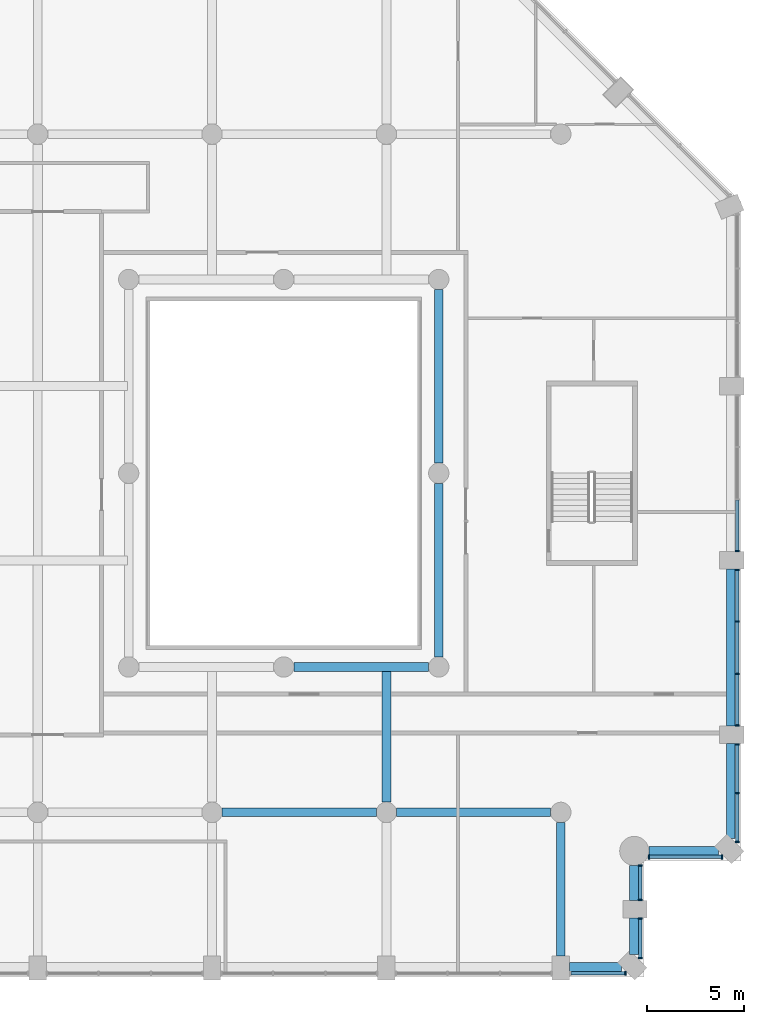
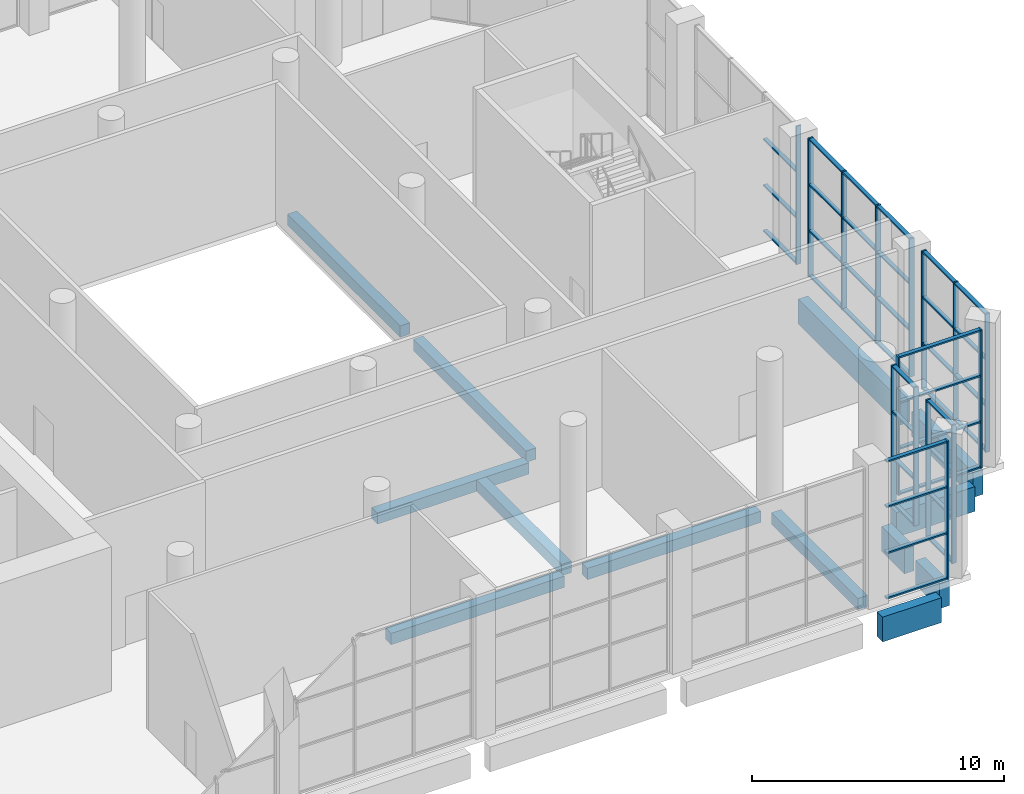
# One storey, part 4 of 22: 54 members, 13 beams, 7 elements without a shape of their own.
"""IFC4 building model written with IfcOpenShell, lengths in metres."""

from ifc_helpers import new_model, si_unit, direction, frame, origin, origin_2d, place, context, subcontext, project, spatial, rectangle, extrude, material, material_profile, profile_set, type_object, element, aggregate, save


model = new_model("IFC4")

# Units and contexts
model_context = context("Model", 3, precision=1e-05, world=origin(), true_north=direction((0.0, 1.0)))
body_context = subcontext(model_context, "Body", "Model", "MODEL_VIEW")
ifc_project = project(units=[si_unit("LENGTHUNIT", "METRE"), si_unit("AREAUNIT", "SQUARE_METRE"), si_unit("VOLUMEUNIT", "CUBIC_METRE"), si_unit("PLANEANGLEUNIT", "RADIAN"), si_unit("MASSUNIT", "GRAM", prefix="KILO")], contexts=[model_context])

# Site, building, storey
site_placement = place(None, origin())
site = spatial("IfcSite", under=ifc_project, at=site_placement, CompositionType="ELEMENT")
building_placement = place(site_placement, origin())
building = spatial("IfcBuilding", under=site, at=building_placement, Name="Cypress Arch Tower", CompositionType="ELEMENT")
storey_placement = place(building_placement, frame((0.0, 0.0, 145.5)))
storey = spatial("IfcBuildingStorey", under=building, at=storey_placement, Name="L32", CompositionType="ELEMENT", Elevation=145.5)

# Beams
ifc_material_1 = material(Name="Concrete C50/60", Category="concrete")
ifc_material_profile_1 = material_profile(ifc_material_1, rectangle(XDim=0.449951171875, YDim=0.550048828125, at=origin_2d()), Name="RC 450x550")
ifc_profile_set_1 = profile_set([ifc_material_profile_1], Name="Concrete C50/60")
beam_type_1 = type_object("IfcBeamType", Name="Floor beam RC 450x550 Concrete C50/60", PredefinedType="BEAM", material=ifc_profile_set_1)
for number, where, z_axis, x_axis, name in (
    (1, (9.0, -9.47509765625, -0.574951171875), (0.0, 1.0, 0.0), (-1.0, 0.0, 0.0), "Floor beam L32 RB003"),
    (2, (9.0, 0.52490234375, -0.574951171875), (0.0, 1.0, 0.0), (-1.0, 0.0, 0.0), "Floor beam L32 RB004"),
):
    element("IfcBeam", number, at=place(storey_placement, frame(where, z_axis=z_axis, x_axis=x_axis)), inside=storey, type_object=beam_type_1, Name=name, PredefinedType="BEAM", context=body_context, shape_type="SweptSolid", body=[
        extrude(rectangle(XDim=0.449951171875, YDim=0.550048828125, at=origin_2d()), origin(), (0.0, 0.0, 1.0), 8.9501953125),
    ])
beam_1_placement = place(storey_placement, frame((1.52490234375, -10.0, -0.574951171875), z_axis=(1.0, 0.0, 0.0), x_axis=(0.0, 1.0, 0.0)))
element("IfcBeam", 3, at=beam_1_placement, inside=storey, type_object=beam_type_1, Name="Floor beam L32 RB006", PredefinedType="BEAM", context=body_context, shape_type="SweptSolid", body=[
    extrude(rectangle(XDim=0.449951171875, YDim=0.550048828125, at=origin_2d()), origin(), (0.0, 0.0, 1.0), 6.9501953125),
])
for number, where, z_axis, x_axis, name in (
    (4, (-2.175048828125, -17.5, -0.574951171875), (1.0, 0.0, 0.0), (0.0, 1.0, 0.0), "Floor beam L32 FB011"),
    (5, (6.824951171875, -17.5, -0.574951171875), (1.0, 0.0, 0.0), (0.0, 1.0, 0.0), "Floor beam L32 FB012"),
):
    element("IfcBeam", number, at=place(storey_placement, frame(where, z_axis=z_axis, x_axis=x_axis)), inside=storey, type_object=beam_type_1, Name=name, PredefinedType="BEAM", context=body_context, shape_type="SweptSolid", body=[
        extrude(rectangle(XDim=0.449951171875, YDim=0.550048828125, at=origin_2d()), origin(), (0.0, 0.0, 1.0), 7.949951171875),
    ])
beam_2_placement = place(storey_placement, frame((6.300048828125, -16.97509765625, -0.574951171875), z_axis=(0.0, 1.0, 0.0), x_axis=(-1.0, 0.0, 0.0)))
element("IfcBeam", 6, at=beam_2_placement, inside=storey, type_object=beam_type_1, Name="Floor beam L32 FB031", PredefinedType="BEAM", context=body_context, shape_type="SweptSolid", body=[
    extrude(rectangle(XDim=0.449951171875, YDim=0.550048828125, at=origin_2d()), origin(), (0.0, 0.0, 1.0), 6.75),
])
beam_3_placement = place(storey_placement, frame((15.300048828125, -24.89990234375, -0.574951171875), z_axis=(0.0, 1.0, 0.0), x_axis=(-1.0, 0.0, 0.0)))
element("IfcBeam", 7, at=beam_3_placement, inside=storey, type_object=beam_type_1, Name="Floor beam L32 FB034", PredefinedType="BEAM", context=body_context, shape_type="SweptSolid", body=[
    extrude(rectangle(XDim=0.449951171875, YDim=0.550048828125, at=origin_2d()), origin(), (0.0, 0.0, 1.0), 6.875),
])

# Curtain wall, member
ifc_material_2 = material(Name="Anodised aluminium, bronze finish, solar control laminated double glazing", Category="aluminium")
curtain_wall_type = type_object("IfcCurtainWallType", Name="Curtain wall CW3 sky lobby glazing", PredefinedType="NOTDEFINED", material=ifc_material_2)
curtain_wall_1_placement = place(storey_placement, origin())
curtain_wall_1 = element("IfcCurtainWall", 8, at=curtain_wall_1_placement, inside=storey, type_object=curtain_wall_type, Name="Curtain wall L32 A03.5.1", PredefinedType="NOTDEFINED")
ifc_material_3 = material(Name="Anodised aluminium, bronze finish", Category="aluminium")
ifc_material_profile_2 = material_profile(ifc_material_3, rectangle(XDim=0.219970703125, YDim=0.074951171875, at=origin_2d()), Name="Mullion 75x220")
ifc_profile_set_2 = profile_set([ifc_material_profile_2], Name="Anodised aluminium, bronze finish")
member_type_1 = type_object("IfcMemberType", Name="Mullion CW3 75x220", PredefinedType="MULLION", material=ifc_profile_set_2)
member_1_placement = place(storey_placement, frame((18.626220703125, -25.800048828125, 0.0), z_axis=(0.0, 0.0, 1.0), x_axis=(0.0, 1.0, 0.0)))
member_1 = element("IfcMember", 9, at=member_1_placement, type_object=member_type_1, Name="CW3 mullion 2", PredefinedType="MULLION", context=body_context, shape_type="SweptSolid", body=[
    extrude(rectangle(XDim=0.219970703125, YDim=0.074951171875, at=origin_2d()), origin(), (0.0, 0.0, 1.0), 6.699951171875),
])

# Curtain wall, members
curtain_wall_2_placement = place(storey_placement, origin())
curtain_wall_2 = element("IfcCurtainWall", 10, at=curtain_wall_2_placement, inside=storey, type_object=curtain_wall_type, Name="Curtain wall L32 A04.0.1", PredefinedType="NOTDEFINED")
member_2_placement = place(storey_placement, frame((19.39990234375, -25.026123046875, 0.0), z_axis=(0.0, 0.0, 1.0), x_axis=(-1.0, 0.0, 0.0)))
member_2 = element("IfcMember", 11, at=member_2_placement, type_object=member_type_1, Name="CW3 mullion 1", PredefinedType="MULLION", context=body_context, shape_type="SweptSolid", body=[
    extrude(rectangle(XDim=0.219970703125, YDim=0.074951171875, at=origin_2d()), origin(), (0.0, 0.0, 1.0), 6.699951171875),
])
member_3_placement = place(storey_placement, frame((19.39990234375, -22.987548828125, 0.0), z_axis=(0.0, 0.0, 1.0), x_axis=(-1.0, 0.0, 0.0)))
member_3 = element("IfcMember", 12, at=member_3_placement, type_object=member_type_1, Name="CW3 mullion 2", PredefinedType="MULLION", context=body_context, shape_type="SweptSolid", body=[
    extrude(rectangle(XDim=0.219970703125, YDim=0.074951171875, at=origin_2d()), origin(), (0.0, 0.0, 1.0), 6.699951171875),
])

curtain_wall_3_placement = place(storey_placement, origin())
curtain_wall_3 = element("IfcCurtainWall", 13, at=curtain_wall_3_placement, inside=storey, type_object=curtain_wall_type, Name="Curtain wall L32 A04.1.1", PredefinedType="NOTDEFINED")
member_4_placement = place(storey_placement, frame((19.39990234375, -22.012451171875, 0.0), z_axis=(0.0, 0.0, 1.0), x_axis=(-1.0, 0.0, 0.0)))
member_4 = element("IfcMember", 14, at=member_4_placement, type_object=member_type_1, Name="CW3 mullion 1", PredefinedType="MULLION", context=body_context, shape_type="SweptSolid", body=[
    extrude(rectangle(XDim=0.219970703125, YDim=0.074951171875, at=origin_2d()), origin(), (0.0, 0.0, 1.0), 6.699951171875),
])
member_5_placement = place(storey_placement, frame((19.39990234375, -20.244384765625, 0.0), z_axis=(0.0, 0.0, 1.0), x_axis=(-1.0, 0.0, 0.0)))
member_5 = element("IfcMember", 15, at=member_5_placement, type_object=member_type_1, Name="CW3 mullion 2", PredefinedType="MULLION", context=body_context, shape_type="SweptSolid", body=[
    extrude(rectangle(XDim=0.219970703125, YDim=0.074951171875, at=origin_2d()), origin(), (0.0, 0.0, 1.0), 6.699951171875),
])

curtain_wall_4_placement = place(storey_placement, origin())
curtain_wall_4 = element("IfcCurtainWall", 16, at=curtain_wall_4_placement, inside=storey, type_object=curtain_wall_type, Name="Curtain wall L32 A05.0.1", PredefinedType="NOTDEFINED")
member_6_placement = place(storey_placement, frame((19.844482421875, -19.800048828125, 0.0), z_axis=(0.0, 0.0, 1.0), x_axis=(0.0, 1.0, 0.0)))
member_6 = element("IfcMember", 17, at=member_6_placement, type_object=member_type_1, Name="CW3 mullion 1", PredefinedType="MULLION", context=body_context, shape_type="SweptSolid", body=[
    extrude(rectangle(XDim=0.219970703125, YDim=0.074951171875, at=origin_2d()), origin(), (0.0, 0.0, 1.0), 6.699951171875),
])
member_7_placement = place(storey_placement, frame((23.626220703125, -19.800048828125, 0.0), z_axis=(0.0, 0.0, 1.0), x_axis=(0.0, 1.0, 0.0)))
member_7 = element("IfcMember", 18, at=member_7_placement, type_object=member_type_1, Name="CW3 mullion 2", PredefinedType="MULLION", context=body_context, shape_type="SweptSolid", body=[
    extrude(rectangle(XDim=0.219970703125, YDim=0.074951171875, at=origin_2d()), origin(), (0.0, 0.0, 1.0), 6.699951171875),
])

curtain_wall_5_placement = place(storey_placement, origin())
curtain_wall_5 = element("IfcCurtainWall", 19, at=curtain_wall_5_placement, inside=storey, type_object=curtain_wall_type, Name="Curtain wall L32 A06.0.1", PredefinedType="NOTDEFINED")
member_8_placement = place(storey_placement, frame((24.39990234375, -19.026123046875, 0.0), z_axis=(0.0, 0.0, 1.0), x_axis=(-1.0, 0.0, 0.0)))
member_8 = element("IfcMember", 20, at=member_8_placement, type_object=member_type_1, Name="CW3 mullion 1", PredefinedType="MULLION", context=body_context, shape_type="SweptSolid", body=[
    extrude(rectangle(XDim=0.219970703125, YDim=0.074951171875, at=origin_2d()), origin(), (0.0, 0.0, 1.0), 6.699951171875),
])
member_9_placement = place(storey_placement, frame((24.39990234375, -16.5068359375, 0.0), z_axis=(0.0, 0.0, 1.0), x_axis=(-1.0, 0.0, 0.0)))
member_9 = element("IfcMember", 21, at=member_9_placement, type_object=member_type_1, Name="CW3 mullion 2", PredefinedType="MULLION", context=body_context, shape_type="SweptSolid", body=[
    extrude(rectangle(XDim=0.219970703125, YDim=0.074951171875, at=origin_2d()), origin(), (0.0, 0.0, 1.0), 6.699951171875),
])
member_10_placement = place(storey_placement, frame((24.39990234375, -13.987548828125, 0.0), z_axis=(0.0, 0.0, 1.0), x_axis=(-1.0, 0.0, 0.0)))
member_10 = element("IfcMember", 22, at=member_10_placement, type_object=member_type_1, Name="CW3 mullion 3", PredefinedType="MULLION", context=body_context, shape_type="SweptSolid", body=[
    extrude(rectangle(XDim=0.219970703125, YDim=0.074951171875, at=origin_2d()), origin(), (0.0, 0.0, 1.0), 6.699951171875),
])

curtain_wall_6_placement = place(storey_placement, origin())
curtain_wall_6 = element("IfcCurtainWall", 23, at=curtain_wall_6_placement, inside=storey, type_object=curtain_wall_type, Name="Curtain wall L32 A06.1.1", PredefinedType="NOTDEFINED")
member_11_placement = place(storey_placement, frame((24.39990234375, -13.012451171875, 0.0), z_axis=(0.0, 0.0, 1.0), x_axis=(-1.0, 0.0, 0.0)))
member_11 = element("IfcMember", 24, at=member_11_placement, type_object=member_type_1, Name="CW3 mullion 1", PredefinedType="MULLION", context=body_context, shape_type="SweptSolid", body=[
    extrude(rectangle(XDim=0.219970703125, YDim=0.074951171875, at=origin_2d()), origin(), (0.0, 0.0, 1.0), 6.699951171875),
])
member_12_placement = place(storey_placement, frame((24.39990234375, -10.35009765625, 0.0), z_axis=(0.0, 0.0, 1.0), x_axis=(-1.0, 0.0, 0.0)))
member_12 = element("IfcMember", 25, at=member_12_placement, type_object=member_type_1, Name="CW3 mullion 2", PredefinedType="MULLION", context=body_context, shape_type="SweptSolid", body=[
    extrude(rectangle(XDim=0.219970703125, YDim=0.074951171875, at=origin_2d()), origin(), (0.0, 0.0, 1.0), 6.699951171875),
])
member_13_placement = place(storey_placement, frame((24.39990234375, -7.64990234375, 0.0), z_axis=(0.0, 0.0, 1.0), x_axis=(-1.0, 0.0, 0.0)))
member_13 = element("IfcMember", 26, at=member_13_placement, type_object=member_type_1, Name="CW3 mullion 3", PredefinedType="MULLION", context=body_context, shape_type="SweptSolid", body=[
    extrude(rectangle(XDim=0.219970703125, YDim=0.074951171875, at=origin_2d()), origin(), (0.0, 0.0, 1.0), 6.699951171875),
])
member_14_placement = place(storey_placement, frame((24.39990234375, -4.987548828125, 0.0), z_axis=(0.0, 0.0, 1.0), x_axis=(-1.0, 0.0, 0.0)))
member_14 = element("IfcMember", 27, at=member_14_placement, type_object=member_type_1, Name="CW3 mullion 4", PredefinedType="MULLION", context=body_context, shape_type="SweptSolid", body=[
    extrude(rectangle(XDim=0.219970703125, YDim=0.074951171875, at=origin_2d()), origin(), (0.0, 0.0, 1.0), 6.699951171875),
])

# Curtain wall, member
curtain_wall_7_placement = place(storey_placement, origin())
curtain_wall_7 = element("IfcCurtainWall", 28, at=curtain_wall_7_placement, inside=storey, type_object=curtain_wall_type, Name="Curtain wall L32 A06.2.1", PredefinedType="NOTDEFINED")
member_15_placement = place(storey_placement, frame((24.39990234375, -4.012451171875, 0.0), z_axis=(0.0, 0.0, 1.0), x_axis=(-1.0, 0.0, 0.0)))
member_15 = element("IfcMember", 29, at=member_15_placement, type_object=member_type_1, Name="CW3 mullion 1", PredefinedType="MULLION", context=body_context, shape_type="SweptSolid", body=[
    extrude(rectangle(XDim=0.219970703125, YDim=0.074951171875, at=origin_2d()), origin(), (0.0, 0.0, 1.0), 6.699951171875),
])

# Beams
ifc_material_4 = material(Name="Concrete C50/60", Category="concrete")
ifc_material_profile_3 = material_profile(ifc_material_4, rectangle(XDim=0.449951171875, YDim=1.199951171875, at=origin_2d()), Name="RC 450x1200")
ifc_profile_set_3 = profile_set([ifc_material_profile_3], Name="Concrete C50/60")
beam_type_2 = type_object("IfcBeamType", Name="Spandrel beam RC 450x1200 Concrete C50/60", PredefinedType="SPANDREL", material=ifc_profile_set_3)
beam_4_placement = place(storey_placement, frame((15.75, -25.47509765625, -1.550048828125), z_axis=(1.0, 0.0, 0.0), x_axis=(0.0, 1.0, 0.0)))
element("IfcBeam", 30, at=beam_4_placement, inside=storey, type_object=beam_type_2, Name="Spandrel beam L32 BA03-5", PredefinedType="SPANDREL", context=body_context, shape_type="SweptSolid", body=[
    extrude(rectangle(XDim=0.449951171875, YDim=1.199951171875, at=origin_2d()), origin(), (0.0, 0.0, 1.0), 2.688720703125),
])
beam_5_placement = place(storey_placement, frame((19.074951171875, -24.838623046875, -1.550048828125), z_axis=(0.0, 1.0, 0.0), x_axis=(-1.0, 0.0, 0.0)))
element("IfcBeam", 31, at=beam_5_placement, inside=storey, type_object=beam_type_2, Name="Spandrel beam L32 BA04-0", PredefinedType="SPANDREL", context=body_context, shape_type="SweptSolid", body=[
    extrude(rectangle(XDim=0.449951171875, YDim=1.199951171875, at=origin_2d()), origin(), (0.0, 0.0, 1.0), 1.888671875),
])
beam_6_placement = place(storey_placement, frame((19.074951171875, -22.050048828125, -1.550048828125), z_axis=(0.0, 1.0, 0.0), x_axis=(-1.0, 0.0, 0.0)))
element("IfcBeam", 32, at=beam_6_placement, inside=storey, type_object=beam_type_2, Name="Spandrel beam L32 BA04-1", PredefinedType="SPANDREL", context=body_context, shape_type="SweptSolid", body=[
    extrude(rectangle(XDim=0.449951171875, YDim=1.199951171875, at=origin_2d()), origin(), (0.0, 0.0, 1.0), 1.8125),
])
beam_7_placement = place(storey_placement, frame((19.837646484375, -19.47509765625, -1.550048828125), z_axis=(1.0, 0.0, 0.0), x_axis=(0.0, 1.0, 0.0)))
element("IfcBeam", 33, at=beam_7_placement, inside=storey, type_object=beam_type_2, Name="Spandrel beam L32 BA05-0", PredefinedType="SPANDREL", context=body_context, shape_type="SweptSolid", body=[
    extrude(rectangle(XDim=0.449951171875, YDim=1.199951171875, at=origin_2d()), origin(), (0.0, 0.0, 1.0), 3.60107421875),
])
beam_8_placement = place(storey_placement, frame((24.074951171875, -18.838623046875, -1.550048828125), z_axis=(0.0, 1.0, 0.0), x_axis=(-1.0, 0.0, 0.0)))
element("IfcBeam", 34, at=beam_8_placement, inside=storey, type_object=beam_type_2, Name="Spandrel beam L32 BA06-0", PredefinedType="SPANDREL", context=body_context, shape_type="SweptSolid", body=[
    extrude(rectangle(XDim=0.449951171875, YDim=1.199951171875, at=origin_2d()), origin(), (0.0, 0.0, 1.0), 4.888671875),
])
beam_9_placement = place(storey_placement, frame((24.074951171875, -13.050048828125, -1.550048828125), z_axis=(0.0, 1.0, 0.0), x_axis=(-1.0, 0.0, 0.0)))
element("IfcBeam", 35, at=beam_9_placement, inside=storey, type_object=beam_type_2, Name="Spandrel beam L32 BA06-1", PredefinedType="SPANDREL", context=body_context, shape_type="SweptSolid", body=[
    extrude(rectangle(XDim=0.449951171875, YDim=1.199951171875, at=origin_2d()), origin(), (0.0, 0.0, 1.0), 8.10009765625),
])

# Member
ifc_material_5 = material(Name="Anodised aluminium, bronze finish", Category="aluminium")
ifc_material_profile_4 = material_profile(ifc_material_5, rectangle(XDim=0.179931640625, YDim=0.074951171875, at=origin_2d()), Name="Transom 75x180")
ifc_profile_set_4 = profile_set([ifc_material_profile_4], Name="Anodised aluminium, bronze finish")
member_type_2 = type_object("IfcMemberType", Name="Transom CW3 75x180", PredefinedType="USERDEFINED", material=ifc_profile_set_4)
member_16_placement = place(storey_placement, frame((15.824951171875, -25.800048828125, 0.03759765625), z_axis=(1.0, 0.0, 0.0), x_axis=(0.0, 1.0, 0.0)))
member_16 = element("IfcMember", 36, at=member_16_placement, type_object=member_type_2, Name="CW3 transom 1.1", ObjectType="TRANSOM", PredefinedType="USERDEFINED", context=body_context, shape_type="SweptSolid", body=[
    extrude(rectangle(XDim=0.179931640625, YDim=0.074951171875, at=origin_2d()), origin(), (0.0, 0.0, 1.0), 2.763671875),
])

member_17_placement = place(storey_placement, frame((15.824951171875, -25.800048828125, 2.2333984375), z_axis=(1.0, 0.0, 0.0), x_axis=(0.0, 1.0, 0.0)))
member_17 = element("IfcMember", 37, at=member_17_placement, type_object=member_type_2, Name="CW3 transom 1.2", ObjectType="TRANSOM", PredefinedType="USERDEFINED", context=body_context, shape_type="SweptSolid", body=[
    extrude(rectangle(XDim=0.179931640625, YDim=0.074951171875, at=origin_2d()), origin(), (0.0, 0.0, 1.0), 2.763671875),
])

member_18_placement = place(storey_placement, frame((15.824951171875, -25.800048828125, 4.466552734375), z_axis=(1.0, 0.0, 0.0), x_axis=(0.0, 1.0, 0.0)))
member_18 = element("IfcMember", 38, at=member_18_placement, type_object=member_type_2, Name="CW3 transom 1.3", ObjectType="TRANSOM", PredefinedType="USERDEFINED", context=body_context, shape_type="SweptSolid", body=[
    extrude(rectangle(XDim=0.179931640625, YDim=0.074951171875, at=origin_2d()), origin(), (0.0, 0.0, 1.0), 2.763671875),
])

member_19_placement = place(storey_placement, frame((15.824951171875, -25.800048828125, 6.66259765625), z_axis=(1.0, 0.0, 0.0), x_axis=(0.0, 1.0, 0.0)))
member_19 = element("IfcMember", 39, at=member_19_placement, type_object=member_type_2, Name="CW3 transom 1.4", ObjectType="TRANSOM", PredefinedType="USERDEFINED", context=body_context, shape_type="SweptSolid", body=[
    extrude(rectangle(XDim=0.179931640625, YDim=0.074951171875, at=origin_2d()), origin(), (0.0, 0.0, 1.0), 2.763671875),
])

aggregate(curtain_wall_1, [member_1, member_16, member_17, member_18, member_19])

member_20_placement = place(storey_placement, frame((19.39990234375, -24.988525390625, 0.03759765625), z_axis=(0.0, 1.0, 0.0), x_axis=(-1.0, 0.0, 0.0)))
member_20 = element("IfcMember", 40, at=member_20_placement, type_object=member_type_2, Name="CW3 transom 1.1", ObjectType="TRANSOM", PredefinedType="USERDEFINED", context=body_context, shape_type="SweptSolid", body=[
    extrude(rectangle(XDim=0.179931640625, YDim=0.074951171875, at=origin_2d()), origin(), (0.0, 0.0, 1.0), 1.963623046875),
])

member_21_placement = place(storey_placement, frame((19.39990234375, -24.988525390625, 2.2333984375), z_axis=(0.0, 1.0, 0.0), x_axis=(-1.0, 0.0, 0.0)))
member_21 = element("IfcMember", 41, at=member_21_placement, type_object=member_type_2, Name="CW3 transom 1.2", ObjectType="TRANSOM", PredefinedType="USERDEFINED", context=body_context, shape_type="SweptSolid", body=[
    extrude(rectangle(XDim=0.179931640625, YDim=0.074951171875, at=origin_2d()), origin(), (0.0, 0.0, 1.0), 1.963623046875),
])

member_22_placement = place(storey_placement, frame((19.39990234375, -24.988525390625, 4.466552734375), z_axis=(0.0, 1.0, 0.0), x_axis=(-1.0, 0.0, 0.0)))
member_22 = element("IfcMember", 42, at=member_22_placement, type_object=member_type_2, Name="CW3 transom 1.3", ObjectType="TRANSOM", PredefinedType="USERDEFINED", context=body_context, shape_type="SweptSolid", body=[
    extrude(rectangle(XDim=0.179931640625, YDim=0.074951171875, at=origin_2d()), origin(), (0.0, 0.0, 1.0), 1.963623046875),
])

member_23_placement = place(storey_placement, frame((19.39990234375, -24.988525390625, 6.66259765625), z_axis=(0.0, 1.0, 0.0), x_axis=(-1.0, 0.0, 0.0)))
member_23 = element("IfcMember", 43, at=member_23_placement, type_object=member_type_2, Name="CW3 transom 1.4", ObjectType="TRANSOM", PredefinedType="USERDEFINED", context=body_context, shape_type="SweptSolid", body=[
    extrude(rectangle(XDim=0.179931640625, YDim=0.074951171875, at=origin_2d()), origin(), (0.0, 0.0, 1.0), 1.963623046875),
])

aggregate(curtain_wall_2, [member_2, member_3, member_20, member_21, member_22, member_23])

member_24_placement = place(storey_placement, frame((19.39990234375, -21.97509765625, 0.03759765625), z_axis=(0.0, 1.0, 0.0), x_axis=(-1.0, 0.0, 0.0)))
member_24 = element("IfcMember", 44, at=member_24_placement, type_object=member_type_2, Name="CW3 transom 1.1", ObjectType="TRANSOM", PredefinedType="USERDEFINED", context=body_context, shape_type="SweptSolid", body=[
    extrude(rectangle(XDim=0.179931640625, YDim=0.074951171875, at=origin_2d()), origin(), (0.0, 0.0, 1.0), 1.693115234375),
])

member_25_placement = place(storey_placement, frame((19.39990234375, -21.97509765625, 2.2333984375), z_axis=(0.0, 1.0, 0.0), x_axis=(-1.0, 0.0, 0.0)))
member_25 = element("IfcMember", 45, at=member_25_placement, type_object=member_type_2, Name="CW3 transom 1.2", ObjectType="TRANSOM", PredefinedType="USERDEFINED", context=body_context, shape_type="SweptSolid", body=[
    extrude(rectangle(XDim=0.179931640625, YDim=0.074951171875, at=origin_2d()), origin(), (0.0, 0.0, 1.0), 1.693115234375),
])

member_26_placement = place(storey_placement, frame((19.39990234375, -21.97509765625, 4.466552734375), z_axis=(0.0, 1.0, 0.0), x_axis=(-1.0, 0.0, 0.0)))
member_26 = element("IfcMember", 46, at=member_26_placement, type_object=member_type_2, Name="CW3 transom 1.3", ObjectType="TRANSOM", PredefinedType="USERDEFINED", context=body_context, shape_type="SweptSolid", body=[
    extrude(rectangle(XDim=0.179931640625, YDim=0.074951171875, at=origin_2d()), origin(), (0.0, 0.0, 1.0), 1.693115234375),
])

member_27_placement = place(storey_placement, frame((19.39990234375, -21.97509765625, 6.66259765625), z_axis=(0.0, 1.0, 0.0), x_axis=(-1.0, 0.0, 0.0)))
member_27 = element("IfcMember", 47, at=member_27_placement, type_object=member_type_2, Name="CW3 transom 1.4", ObjectType="TRANSOM", PredefinedType="USERDEFINED", context=body_context, shape_type="SweptSolid", body=[
    extrude(rectangle(XDim=0.179931640625, YDim=0.074951171875, at=origin_2d()), origin(), (0.0, 0.0, 1.0), 1.693115234375),
])

aggregate(curtain_wall_3, [member_4, member_5, member_24, member_25, member_26, member_27])

member_28_placement = place(storey_placement, frame((19.882080078125, -19.800048828125, 0.03759765625), z_axis=(1.0, 0.0, 0.0), x_axis=(0.0, 1.0, 0.0)))
member_28 = element("IfcMember", 48, at=member_28_placement, type_object=member_type_2, Name="CW3 transom 1.1", ObjectType="TRANSOM", PredefinedType="USERDEFINED", context=body_context, shape_type="SweptSolid", body=[
    extrude(rectangle(XDim=0.179931640625, YDim=0.074951171875, at=origin_2d()), origin(), (0.0, 0.0, 1.0), 3.70654296875),
])

member_29_placement = place(storey_placement, frame((19.882080078125, -19.800048828125, 2.2333984375), z_axis=(1.0, 0.0, 0.0), x_axis=(0.0, 1.0, 0.0)))
member_29 = element("IfcMember", 49, at=member_29_placement, type_object=member_type_2, Name="CW3 transom 1.2", ObjectType="TRANSOM", PredefinedType="USERDEFINED", context=body_context, shape_type="SweptSolid", body=[
    extrude(rectangle(XDim=0.179931640625, YDim=0.074951171875, at=origin_2d()), origin(), (0.0, 0.0, 1.0), 3.70654296875),
])

member_30_placement = place(storey_placement, frame((19.882080078125, -19.800048828125, 4.466552734375), z_axis=(1.0, 0.0, 0.0), x_axis=(0.0, 1.0, 0.0)))
member_30 = element("IfcMember", 50, at=member_30_placement, type_object=member_type_2, Name="CW3 transom 1.3", ObjectType="TRANSOM", PredefinedType="USERDEFINED", context=body_context, shape_type="SweptSolid", body=[
    extrude(rectangle(XDim=0.179931640625, YDim=0.074951171875, at=origin_2d()), origin(), (0.0, 0.0, 1.0), 3.70654296875),
])

member_31_placement = place(storey_placement, frame((19.882080078125, -19.800048828125, 6.66259765625), z_axis=(1.0, 0.0, 0.0), x_axis=(0.0, 1.0, 0.0)))
member_31 = element("IfcMember", 51, at=member_31_placement, type_object=member_type_2, Name="CW3 transom 1.4", ObjectType="TRANSOM", PredefinedType="USERDEFINED", context=body_context, shape_type="SweptSolid", body=[
    extrude(rectangle(XDim=0.179931640625, YDim=0.074951171875, at=origin_2d()), origin(), (0.0, 0.0, 1.0), 3.70654296875),
])

aggregate(curtain_wall_4, [member_6, member_7, member_28, member_29, member_30, member_31])

member_32_placement = place(storey_placement, frame((24.39990234375, -18.988525390625, 0.03759765625), z_axis=(0.0, 1.0, 0.0), x_axis=(-1.0, 0.0, 0.0)))
member_32 = element("IfcMember", 52, at=member_32_placement, type_object=member_type_2, Name="CW3 transom 1.1", ObjectType="TRANSOM", PredefinedType="USERDEFINED", context=body_context, shape_type="SweptSolid", body=[
    extrude(rectangle(XDim=0.179931640625, YDim=0.074951171875, at=origin_2d()), origin(), (0.0, 0.0, 1.0), 2.4443359375),
])

member_33_placement = place(storey_placement, frame((24.39990234375, -18.988525390625, 2.2333984375), z_axis=(0.0, 1.0, 0.0), x_axis=(-1.0, 0.0, 0.0)))
member_33 = element("IfcMember", 53, at=member_33_placement, type_object=member_type_2, Name="CW3 transom 1.2", ObjectType="TRANSOM", PredefinedType="USERDEFINED", context=body_context, shape_type="SweptSolid", body=[
    extrude(rectangle(XDim=0.179931640625, YDim=0.074951171875, at=origin_2d()), origin(), (0.0, 0.0, 1.0), 2.4443359375),
])

member_34_placement = place(storey_placement, frame((24.39990234375, -18.988525390625, 4.466552734375), z_axis=(0.0, 1.0, 0.0), x_axis=(-1.0, 0.0, 0.0)))
member_34 = element("IfcMember", 54, at=member_34_placement, type_object=member_type_2, Name="CW3 transom 1.3", ObjectType="TRANSOM", PredefinedType="USERDEFINED", context=body_context, shape_type="SweptSolid", body=[
    extrude(rectangle(XDim=0.179931640625, YDim=0.074951171875, at=origin_2d()), origin(), (0.0, 0.0, 1.0), 2.4443359375),
])

member_35_placement = place(storey_placement, frame((24.39990234375, -18.988525390625, 6.66259765625), z_axis=(0.0, 1.0, 0.0), x_axis=(-1.0, 0.0, 0.0)))
member_35 = element("IfcMember", 55, at=member_35_placement, type_object=member_type_2, Name="CW3 transom 1.4", ObjectType="TRANSOM", PredefinedType="USERDEFINED", context=body_context, shape_type="SweptSolid", body=[
    extrude(rectangle(XDim=0.179931640625, YDim=0.074951171875, at=origin_2d()), origin(), (0.0, 0.0, 1.0), 2.4443359375),
])

member_36_placement = place(storey_placement, frame((24.39990234375, -16.46923828125, 0.03759765625), z_axis=(0.0, 1.0, 0.0), x_axis=(-1.0, 0.0, 0.0)))
member_36 = element("IfcMember", 56, at=member_36_placement, type_object=member_type_2, Name="CW3 transom 2.1", ObjectType="TRANSOM", PredefinedType="USERDEFINED", context=body_context, shape_type="SweptSolid", body=[
    extrude(rectangle(XDim=0.179931640625, YDim=0.074951171875, at=origin_2d()), origin(), (0.0, 0.0, 1.0), 2.4443359375),
])

member_37_placement = place(storey_placement, frame((24.39990234375, -16.46923828125, 2.2333984375), z_axis=(0.0, 1.0, 0.0), x_axis=(-1.0, 0.0, 0.0)))
member_37 = element("IfcMember", 57, at=member_37_placement, type_object=member_type_2, Name="CW3 transom 2.2", ObjectType="TRANSOM", PredefinedType="USERDEFINED", context=body_context, shape_type="SweptSolid", body=[
    extrude(rectangle(XDim=0.179931640625, YDim=0.074951171875, at=origin_2d()), origin(), (0.0, 0.0, 1.0), 2.4443359375),
])

member_38_placement = place(storey_placement, frame((24.39990234375, -16.46923828125, 4.466552734375), z_axis=(0.0, 1.0, 0.0), x_axis=(-1.0, 0.0, 0.0)))
member_38 = element("IfcMember", 58, at=member_38_placement, type_object=member_type_2, Name="CW3 transom 2.3", ObjectType="TRANSOM", PredefinedType="USERDEFINED", context=body_context, shape_type="SweptSolid", body=[
    extrude(rectangle(XDim=0.179931640625, YDim=0.074951171875, at=origin_2d()), origin(), (0.0, 0.0, 1.0), 2.4443359375),
])

member_39_placement = place(storey_placement, frame((24.39990234375, -16.46923828125, 6.66259765625), z_axis=(0.0, 1.0, 0.0), x_axis=(-1.0, 0.0, 0.0)))
member_39 = element("IfcMember", 59, at=member_39_placement, type_object=member_type_2, Name="CW3 transom 2.4", ObjectType="TRANSOM", PredefinedType="USERDEFINED", context=body_context, shape_type="SweptSolid", body=[
    extrude(rectangle(XDim=0.179931640625, YDim=0.074951171875, at=origin_2d()), origin(), (0.0, 0.0, 1.0), 2.4443359375),
])

aggregate(curtain_wall_5, [member_8, member_9, member_10, member_32, member_33, member_34, member_35, member_36, member_37, member_38, member_39])

member_40_placement = place(storey_placement, frame((24.39990234375, -12.97509765625, 0.03759765625), z_axis=(0.0, 1.0, 0.0), x_axis=(-1.0, 0.0, 0.0)))
member_40 = element("IfcMember", 60, at=member_40_placement, type_object=member_type_2, Name="CW3 transom 1.1", ObjectType="TRANSOM", PredefinedType="USERDEFINED", context=body_context, shape_type="SweptSolid", body=[
    extrude(rectangle(XDim=0.179931640625, YDim=0.074951171875, at=origin_2d()), origin(), (0.0, 0.0, 1.0), 2.587646484375),
])

member_41_placement = place(storey_placement, frame((24.39990234375, -12.97509765625, 2.2333984375), z_axis=(0.0, 1.0, 0.0), x_axis=(-1.0, 0.0, 0.0)))
member_41 = element("IfcMember", 61, at=member_41_placement, type_object=member_type_2, Name="CW3 transom 1.2", ObjectType="TRANSOM", PredefinedType="USERDEFINED", context=body_context, shape_type="SweptSolid", body=[
    extrude(rectangle(XDim=0.179931640625, YDim=0.074951171875, at=origin_2d()), origin(), (0.0, 0.0, 1.0), 2.587646484375),
])

member_42_placement = place(storey_placement, frame((24.39990234375, -12.97509765625, 4.466552734375), z_axis=(0.0, 1.0, 0.0), x_axis=(-1.0, 0.0, 0.0)))
member_42 = element("IfcMember", 62, at=member_42_placement, type_object=member_type_2, Name="CW3 transom 1.3", ObjectType="TRANSOM", PredefinedType="USERDEFINED", context=body_context, shape_type="SweptSolid", body=[
    extrude(rectangle(XDim=0.179931640625, YDim=0.074951171875, at=origin_2d()), origin(), (0.0, 0.0, 1.0), 2.587646484375),
])

member_43_placement = place(storey_placement, frame((24.39990234375, -12.97509765625, 6.66259765625), z_axis=(0.0, 1.0, 0.0), x_axis=(-1.0, 0.0, 0.0)))
member_43 = element("IfcMember", 63, at=member_43_placement, type_object=member_type_2, Name="CW3 transom 1.4", ObjectType="TRANSOM", PredefinedType="USERDEFINED", context=body_context, shape_type="SweptSolid", body=[
    extrude(rectangle(XDim=0.179931640625, YDim=0.074951171875, at=origin_2d()), origin(), (0.0, 0.0, 1.0), 2.587646484375),
])

member_44_placement = place(storey_placement, frame((24.39990234375, -10.3125, 0.03759765625), z_axis=(0.0, 1.0, 0.0), x_axis=(-1.0, 0.0, 0.0)))
member_44 = element("IfcMember", 64, at=member_44_placement, type_object=member_type_2, Name="CW3 transom 2.1", ObjectType="TRANSOM", PredefinedType="USERDEFINED", context=body_context, shape_type="SweptSolid", body=[
    extrude(rectangle(XDim=0.179931640625, YDim=0.074951171875, at=origin_2d()), origin(), (0.0, 0.0, 1.0), 2.625),
])

member_45_placement = place(storey_placement, frame((24.39990234375, -10.3125, 2.2333984375), z_axis=(0.0, 1.0, 0.0), x_axis=(-1.0, 0.0, 0.0)))
member_45 = element("IfcMember", 65, at=member_45_placement, type_object=member_type_2, Name="CW3 transom 2.2", ObjectType="TRANSOM", PredefinedType="USERDEFINED", context=body_context, shape_type="SweptSolid", body=[
    extrude(rectangle(XDim=0.179931640625, YDim=0.074951171875, at=origin_2d()), origin(), (0.0, 0.0, 1.0), 2.625),
])

member_46_placement = place(storey_placement, frame((24.39990234375, -10.3125, 4.466552734375), z_axis=(0.0, 1.0, 0.0), x_axis=(-1.0, 0.0, 0.0)))
member_46 = element("IfcMember", 66, at=member_46_placement, type_object=member_type_2, Name="CW3 transom 2.3", ObjectType="TRANSOM", PredefinedType="USERDEFINED", context=body_context, shape_type="SweptSolid", body=[
    extrude(rectangle(XDim=0.179931640625, YDim=0.074951171875, at=origin_2d()), origin(), (0.0, 0.0, 1.0), 2.625),
])

member_47_placement = place(storey_placement, frame((24.39990234375, -10.3125, 6.66259765625), z_axis=(0.0, 1.0, 0.0), x_axis=(-1.0, 0.0, 0.0)))
member_47 = element("IfcMember", 67, at=member_47_placement, type_object=member_type_2, Name="CW3 transom 2.4", ObjectType="TRANSOM", PredefinedType="USERDEFINED", context=body_context, shape_type="SweptSolid", body=[
    extrude(rectangle(XDim=0.179931640625, YDim=0.074951171875, at=origin_2d()), origin(), (0.0, 0.0, 1.0), 2.625),
])

member_48_placement = place(storey_placement, frame((24.39990234375, -7.612548828125, 0.03759765625), z_axis=(0.0, 1.0, 0.0), x_axis=(-1.0, 0.0, 0.0)))
member_48 = element("IfcMember", 68, at=member_48_placement, type_object=member_type_2, Name="CW3 transom 3.1", ObjectType="TRANSOM", PredefinedType="USERDEFINED", context=body_context, shape_type="SweptSolid", body=[
    extrude(rectangle(XDim=0.179931640625, YDim=0.074951171875, at=origin_2d()), origin(), (0.0, 0.0, 1.0), 2.587646484375),
])

member_49_placement = place(storey_placement, frame((24.39990234375, -7.612548828125, 2.2333984375), z_axis=(0.0, 1.0, 0.0), x_axis=(-1.0, 0.0, 0.0)))
member_49 = element("IfcMember", 69, at=member_49_placement, type_object=member_type_2, Name="CW3 transom 3.2", ObjectType="TRANSOM", PredefinedType="USERDEFINED", context=body_context, shape_type="SweptSolid", body=[
    extrude(rectangle(XDim=0.179931640625, YDim=0.074951171875, at=origin_2d()), origin(), (0.0, 0.0, 1.0), 2.587646484375),
])

member_50_placement = place(storey_placement, frame((24.39990234375, -7.612548828125, 4.466552734375), z_axis=(0.0, 1.0, 0.0), x_axis=(-1.0, 0.0, 0.0)))
member_50 = element("IfcMember", 70, at=member_50_placement, type_object=member_type_2, Name="CW3 transom 3.3", ObjectType="TRANSOM", PredefinedType="USERDEFINED", context=body_context, shape_type="SweptSolid", body=[
    extrude(rectangle(XDim=0.179931640625, YDim=0.074951171875, at=origin_2d()), origin(), (0.0, 0.0, 1.0), 2.587646484375),
])

member_51_placement = place(storey_placement, frame((24.39990234375, -7.612548828125, 6.66259765625), z_axis=(0.0, 1.0, 0.0), x_axis=(-1.0, 0.0, 0.0)))
member_51 = element("IfcMember", 71, at=member_51_placement, type_object=member_type_2, Name="CW3 transom 3.4", ObjectType="TRANSOM", PredefinedType="USERDEFINED", context=body_context, shape_type="SweptSolid", body=[
    extrude(rectangle(XDim=0.179931640625, YDim=0.074951171875, at=origin_2d()), origin(), (0.0, 0.0, 1.0), 2.587646484375),
])

aggregate(curtain_wall_6, [member_11, member_12, member_13, member_14, member_40, member_41, member_42, member_43, member_44, member_45, member_46, member_47, member_48, member_49, member_50, member_51])

member_52_placement = place(storey_placement, frame((24.39990234375, -3.97509765625, 0.03759765625), z_axis=(0.0, 1.0, 0.0), x_axis=(-1.0, 0.0, 0.0)))
member_52 = element("IfcMember", 72, at=member_52_placement, type_object=member_type_2, Name="CW3 transom 1.1", ObjectType="TRANSOM", PredefinedType="USERDEFINED", context=body_context, shape_type="SweptSolid", body=[
    extrude(rectangle(XDim=0.179931640625, YDim=0.074951171875, at=origin_2d()), origin(), (0.0, 0.0, 1.0), 2.587646484375),
])

member_53_placement = place(storey_placement, frame((24.39990234375, -3.97509765625, 2.2333984375), z_axis=(0.0, 1.0, 0.0), x_axis=(-1.0, 0.0, 0.0)))
member_53 = element("IfcMember", 73, at=member_53_placement, type_object=member_type_2, Name="CW3 transom 1.2", ObjectType="TRANSOM", PredefinedType="USERDEFINED", context=body_context, shape_type="SweptSolid", body=[
    extrude(rectangle(XDim=0.179931640625, YDim=0.074951171875, at=origin_2d()), origin(), (0.0, 0.0, 1.0), 2.587646484375),
])

member_54_placement = place(storey_placement, frame((24.39990234375, -3.97509765625, 4.466552734375), z_axis=(0.0, 1.0, 0.0), x_axis=(-1.0, 0.0, 0.0)))
member_54 = element("IfcMember", 74, at=member_54_placement, type_object=member_type_2, Name="CW3 transom 1.3", ObjectType="TRANSOM", PredefinedType="USERDEFINED", context=body_context, shape_type="SweptSolid", body=[
    extrude(rectangle(XDim=0.179931640625, YDim=0.074951171875, at=origin_2d()), origin(), (0.0, 0.0, 1.0), 2.587646484375),
])

aggregate(curtain_wall_7, [member_15, member_52, member_53, member_54])

save(model, "model.ifc")
